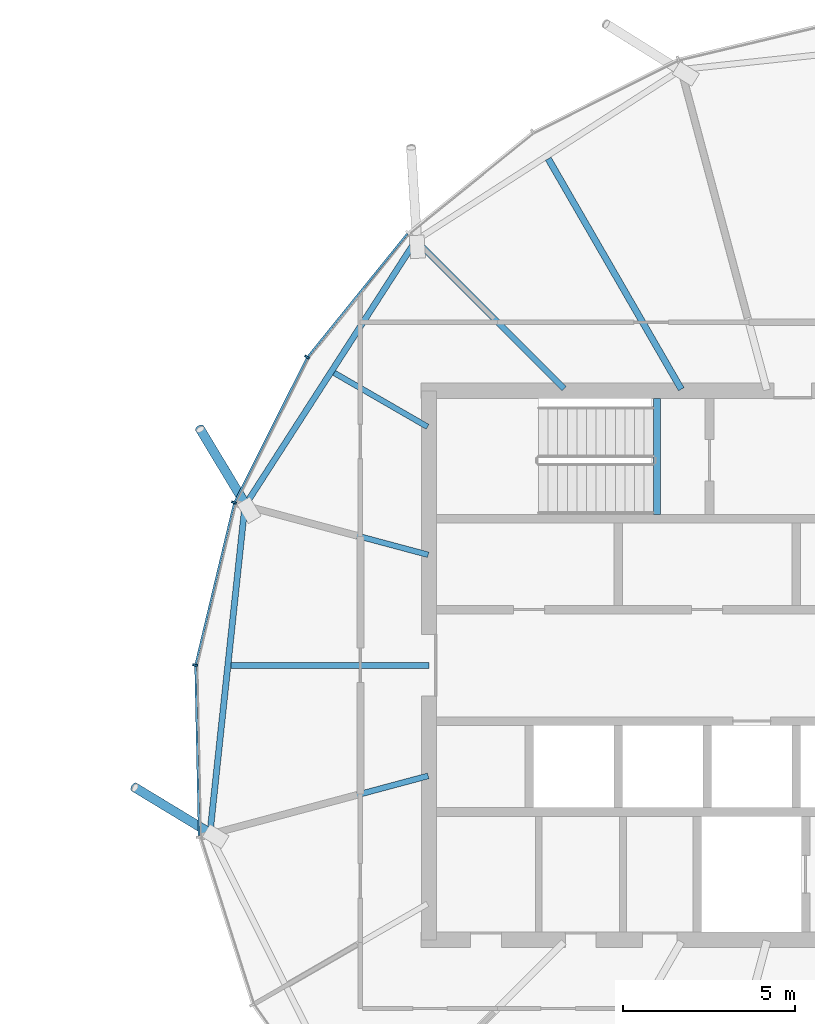
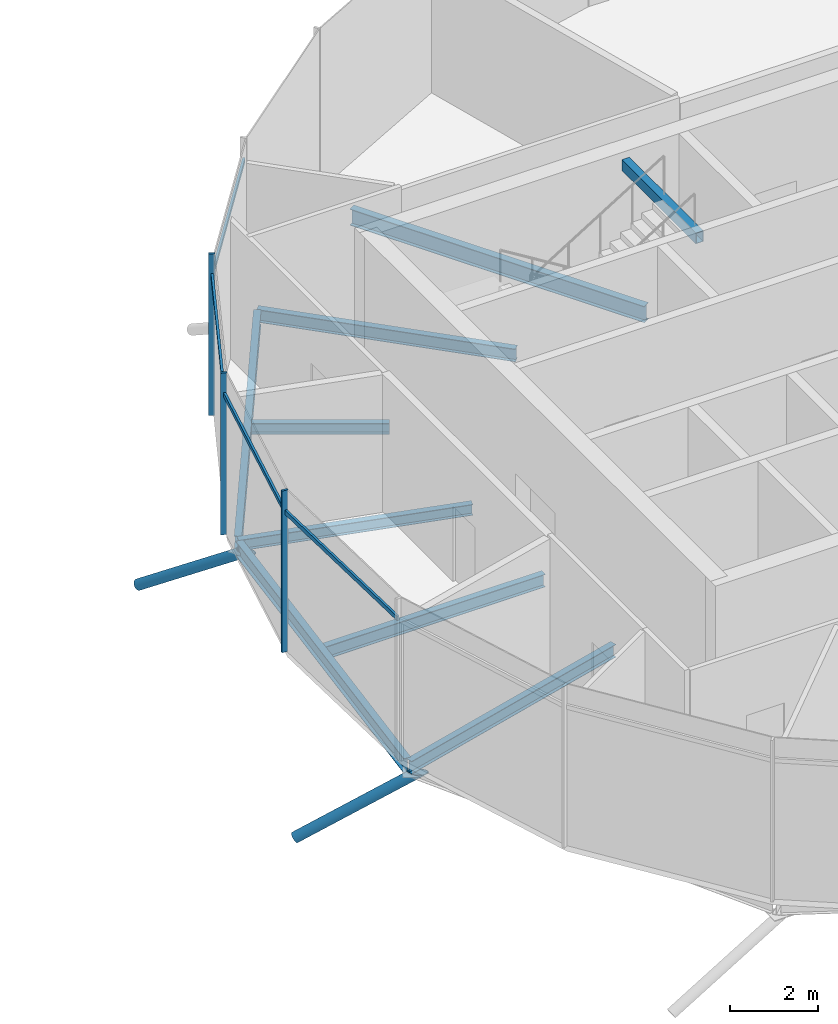
# One storey, part 11 of 31: 9 beams, 9 members, 1 element without a shape of its own.
"""IFC4 building model written with IfcOpenShell, lengths in metres."""

from ifc_helpers import new_model, si_unit, direction, frame, origin, origin_2d, place, context, subcontext, project, spatial, rectangle, hollow_rectangle, hollow_circle, i_section, extrude, clip, halfspace, material, material_profile, profile_set, type_object, element, aggregate, save


model = new_model("IFC4")

# Units and contexts
model_context = context("Model", 3, precision=1e-05, world=origin(), true_north=direction((0.0, 1.0)))
body_context = subcontext(model_context, "Body", "Model", "MODEL_VIEW")
ifc_project = project(units=[si_unit("LENGTHUNIT", "METRE"), si_unit("AREAUNIT", "SQUARE_METRE"), si_unit("VOLUMEUNIT", "CUBIC_METRE"), si_unit("PLANEANGLEUNIT", "RADIAN"), si_unit("MASSUNIT", "GRAM", prefix="KILO")], contexts=[model_context])

# Site, building, storey
site_placement = place(None, origin())
site = spatial("IfcSite", under=ifc_project, at=site_placement, CompositionType="ELEMENT")
building_placement = place(site_placement, origin())
building = spatial("IfcBuilding", under=site, at=building_placement, Name="Rimbun Link Towers", CompositionType="ELEMENT")
storey_placement = place(building_placement, frame((0.0, 0.0, 263.10009765625)))
storey = spatial("IfcBuildingStorey", under=building, at=storey_placement, Name="L64", CompositionType="ELEMENT", Elevation=263.10009765625)

# Curtain wall, members
ifc_material_1 = material(Name="Aluminium 6063-T6 and low-iron glass", Category="aluminium")
curtain_wall_type = type_object("IfcCurtainWallType", Name="CW5 full height lobby wall", PredefinedType="NOTDEFINED", material=ifc_material_1)
curtain_wall_placement = place(storey_placement, origin())
curtain_wall = element("IfcCurtainWall", 1, at=curtain_wall_placement, inside=storey, type_object=curtain_wall_type, Name="CW5 L64 T2", PredefinedType="NOTDEFINED")
ifc_material_2 = material(Name="Aluminium 6063-T6", Category="aluminium")
ifc_material_profile_1 = material_profile(ifc_material_2, rectangle(XDim=0.14990234375, YDim=0.06005859375, at=origin_2d()), Name="MULLION 60X150")
ifc_profile_set_1 = profile_set([ifc_material_profile_1], Name="Aluminium 6063-T6")
member_type_1 = type_object("IfcMemberType", Name="CW5 mullion 60X150", PredefinedType="MULLION", material=ifc_profile_set_1)
member_1_placement = place(storey_placement, frame((16.197021484375, 8.983642578125, 0.0), z_axis=(0.0, 0.0, 1.0), x_axis=(-0.840316623202, 0.542095907354, 0.0)))
member_1 = element("IfcMember", 2, at=member_1_placement, type_object=member_type_1, Name="CW5 mullion", PredefinedType="MULLION", context=body_context, shape_type="SweptSolid", body=[
    extrude(rectangle(XDim=0.14990234375, YDim=0.06005859375, at=origin_2d()), origin(), (0.0, 0.0, 1.0), 4.5),
])
member_2_placement = place(storey_placement, frame((14.068359375, 4.74462890625, 0.0), z_axis=(0.0, 0.0, 1.0), x_axis=(-0.93934467717, 0.34297460179, 0.0)))
member_2 = element("IfcMember", 3, at=member_2_placement, type_object=member_type_1, Name="CW5 mullion", PredefinedType="MULLION", context=body_context, shape_type="SweptSolid", body=[
    extrude(rectangle(XDim=0.14990234375, YDim=0.06005859375, at=origin_2d()), origin(), (0.0, 0.0, 1.0), 4.5),
])
member_3_placement = place(storey_placement, frame((12.935546875, 0.008056640625, 0.0), z_axis=(0.0, 0.0, 1.0), x_axis=(-0.994297489932, 0.106641931315, 0.0)))
member_3 = element("IfcMember", 4, at=member_3_placement, type_object=member_type_1, Name="CW5 mullion", PredefinedType="MULLION", context=body_context, shape_type="SweptSolid", body=[
    extrude(rectangle(XDim=0.14990234375, YDim=0.06005859375, at=origin_2d()), origin(), (0.0, 0.0, 1.0), 4.5),
])
ifc_material_3 = material(Name="Aluminium 6063-T6", Category="aluminium")
ifc_material_profile_2 = material_profile(ifc_material_3, rectangle(XDim=0.06005859375, YDim=0.1201171875, at=origin_2d()), Name="TRANSOM 60X120")
ifc_profile_set_2 = profile_set([ifc_material_profile_2], Name="Aluminium 6063-T6")
member_type_2 = type_object("IfcMemberType", Name="CW5 transom 60X120", PredefinedType="USERDEFINED", material=ifc_profile_set_2)
member_4_placement = place(storey_placement, frame((16.230712890625, 9.00537109375, 3.89990234375), z_axis=(0.629149315834, 0.777284464263, 0.0), x_axis=(-0.777284464263, 0.629149315834, 0.0)))
member_4 = element("IfcMember", 5, at=member_4_placement, type_object=member_type_2, Name="CW5 transom", ObjectType="TRANSOM", PredefinedType="USERDEFINED", context=body_context, shape_type="SweptSolid", body=[
    extrude(rectangle(XDim=0.06005859375, YDim=0.1201171875, at=origin_2d()), origin(), (0.0, 0.0, 1.0), 4.594970703125),
])
member_5_placement = place(storey_placement, frame((14.0966796875, 4.7734375, 3.89990234375), z_axis=(0.448782258753, 0.893641138393, 0.0), x_axis=(-0.893641138393, 0.448782258753, 0.0)))
member_5 = element("IfcMember", 6, at=member_5_placement, type_object=member_type_2, Name="CW5 transom", ObjectType="TRANSOM", PredefinedType="USERDEFINED", context=body_context, shape_type="SweptSolid", body=[
    extrude(rectangle(XDim=0.06005859375, YDim=0.1201171875, at=origin_2d()), origin(), (0.0, 0.0, 1.0), 4.6669921875),
])
member_6_placement = place(storey_placement, frame((12.956787109375, 0.043701171875, 3.89990234375), z_axis=(0.232632930334, 0.972564609537, 0.0), x_axis=(-0.972564609537, 0.232632930334, 0.0)))
member_6 = element("IfcMember", 7, at=member_6_placement, type_object=member_type_2, Name="CW5 transom", ObjectType="TRANSOM", PredefinedType="USERDEFINED", context=body_context, shape_type="SweptSolid", body=[
    extrude(rectangle(XDim=0.06005859375, YDim=0.1201171875, at=origin_2d()), origin(), (0.0, 0.0, 1.0), 4.791748046875),
])
member_7_placement = place(storey_placement, frame((13.052734375, -4.96435546875, 3.89990234375), z_axis=(-0.021078162721, 0.999777830849, 0.0), x_axis=(-0.999777830849, -0.021078162721, 0.0)))
member_7 = element("IfcMember", 8, at=member_7_placement, type_object=member_type_2, Name="CW5 transom", ObjectType="TRANSOM", PredefinedType="USERDEFINED", context=body_context, shape_type="SweptSolid", body=[
    extrude(rectangle(XDim=0.06005859375, YDim=0.1201171875, at=origin_2d()), origin(), (0.0, 0.0, 1.0), 4.93408203125),
])
aggregate(curtain_wall, [member_1, member_2, member_3, member_4, member_5, member_6, member_7])

# Members
ifc_material_4 = material(Name="Steel S355J2H", Category="steel")
ifc_material_profile_3 = material_profile(ifc_material_4, hollow_circle(Radius=0.136474609375, WallThickness=0.012451171875, at=origin_2d()), Name="CHS 273x12.5")
ifc_profile_set_3 = profile_set([ifc_material_profile_3], Name="Steel S355J2H")
member_type_3 = type_object("IfcMemberType", Name="Floor edge link CHS 273x12.5", PredefinedType="BRACE", material=ifc_profile_set_3)
member_8_placement = place(storey_placement, frame((14.43359375, 4.639892578125, -0.596923828125), z_axis=(-0.429013716133, 0.711812709486, -0.556120398821), x_axis=(-0.856468799592, -0.516198794385, 0.0)))
element("IfcMember", 9, at=member_8_placement, inside=storey, type_object=member_type_3, Name="Floor edge link T2 L64 08", PredefinedType="BRACE", context=body_context, shape_type="Clipping", body=[
    clip(extrude(hollow_circle(Radius=0.136474609375, WallThickness=0.012451171875, at=origin_2d()), frame((0.0, 0.0, -0.426025390625)), (0.0, 0.0, 1.0), 3.6201171875), halfspace(frame((0.0, 0.0, -0.200439453125), z_axis=(0.0, 0.83110173987, -0.556120398821)), False)),
])
member_9_placement = place(storey_placement, frame((13.412109375, -4.91357421875, -0.648681640625), z_axis=(-0.712927937155, 0.431823154762, -0.552505673668), x_axis=(-0.518078489931, -0.855333080309, 0.0)))
element("IfcMember", 10, at=member_9_placement, inside=storey, type_object=member_type_3, Name="Floor edge link T2 L64 10", PredefinedType="BRACE", context=body_context, shape_type="Clipping", body=[
    clip(extrude(hollow_circle(Radius=0.136474609375, WallThickness=0.012451171875, at=origin_2d()), frame((0.0, 0.0, -0.429931640625)), (0.0, 0.0, 1.0), 3.60009765625), halfspace(frame((0.0, 0.0, -0.201904296875), z_axis=(0.0, 0.833509136461, -0.552505673668)), False)),
])

# Beams
ifc_material_5 = material(Name="Steel S355J2", Category="steel")
ifc_material_profile_4 = material_profile(ifc_material_5, hollow_rectangle(XDim=0.199951171875, YDim=0.300048828125, WallThickness=0.011962890625, at=origin_2d()), Name="BOX 300x200x12")
ifc_profile_set_4 = profile_set([ifc_material_profile_4], Name="Steel S355J2")
beam_type_1 = type_object("IfcBeamType", Name="Stair trimmer beam BOX 300x200x12", PredefinedType="BEAM", material=ifc_profile_set_4)
beam_1_placement = place(storey_placement, frame((26.39990234375, 7.77490234375, 4.14990234375), z_axis=(0.0, -1.0, 0.0), x_axis=(1.0, 0.0, 0.0)))
element("IfcBeam", 11, at=beam_1_placement, inside=storey, type_object=beam_type_1, Name="L64 ST3 stair beam 1", PredefinedType="BEAM", context=body_context, shape_type="SweptSolid", body=[
    extrude(hollow_rectangle(XDim=0.199951171875, YDim=0.300048828125, WallThickness=0.011962890625, at=origin_2d()), origin(), (0.0, 0.0, 1.0), 3.375),
])
ifc_material_6 = material(Name="Steel S355J2", Category="steel")
ifc_material_profile_5 = material_profile(ifc_material_6, i_section(OverallWidth=0.1650390625, OverallDepth=0.303466796875, WebThickness=0.006103515625, FlangeThickness=0.01025390625, at=origin_2d()), Name="UB 305x165x40")
ifc_profile_set_5 = profile_set([ifc_material_profile_5], Name="Steel S355J2")
beam_type_2 = type_object("IfcBeamType", Name="UB 305x165x40", PredefinedType="BEAM", material=ifc_profile_set_5)
beam_2_placement = place(storey_placement, frame((19.7080078125, 6.952392578125, -0.331787109375), z_axis=(-0.866035522163, 0.499982474044, 0.0), x_axis=(-0.499982474044, -0.866035522163, 0.0)))
element("IfcBeam", 12, at=beam_2_placement, inside=storey, type_object=beam_type_2, Name="Radial beam T2 L64 07", PredefinedType="BEAM", context=body_context, shape_type="SweptSolid", body=[
    extrude(i_section(OverallWidth=0.1650390625, OverallDepth=0.303466796875, WebThickness=0.006103515625, FlangeThickness=0.01025390625, at=origin_2d()), origin(), (0.0, 0.0, 1.0), 3.142578125),
])
beam_3_placement = place(storey_placement, frame((19.727783203125, 3.221435546875, -0.331787109375), z_axis=(-0.965931698722, 0.25879712789, 0.0), x_axis=(-0.25879712789, -0.965931698722, 0.0)))
element("IfcBeam", 13, at=beam_3_placement, inside=storey, type_object=beam_type_2, Name="Radial beam T2 L64 08", PredefinedType="BEAM", context=body_context, shape_type="SweptSolid", body=[
    extrude(i_section(OverallWidth=0.1650390625, OverallDepth=0.303466796875, WebThickness=0.006103515625, FlangeThickness=0.01025390625, at=origin_2d()), origin(), (0.0, 0.0, 1.0), 5.531005859375),
])
ifc_material_7 = material(Name="Steel S355J2", Category="steel")
ifc_material_profile_6 = material_profile(ifc_material_7, i_section(OverallWidth=0.17138671875, OverallDepth=0.35498046875, WebThickness=0.00732421875, FlangeThickness=0.011474609375, at=origin_2d()), Name="UB 356x171x51")
ifc_profile_set_6 = profile_set([ifc_material_profile_6], Name="Steel S355J2")
beam_type_3 = type_object("IfcBeamType", Name="UB 356x171x51", PredefinedType="BEAM", material=ifc_profile_set_6)
beam_4_placement = place(storey_placement, frame((23.688720703125, 8.061279296875, -0.357666015625), z_axis=(-0.707106781187, 0.707106781187, 0.0), x_axis=(-0.707106781187, -0.707106781187, 0.0)))
element("IfcBeam", 14, at=beam_4_placement, inside=storey, type_object=beam_type_3, Name="Radial beam T2 L64 06", PredefinedType="BEAM", context=body_context, shape_type="SweptSolid", body=[
    extrude(i_section(OverallWidth=0.17138671875, OverallDepth=0.35498046875, WebThickness=0.00732421875, FlangeThickness=0.011474609375, at=origin_2d()), origin(), (0.0, 0.0, 1.0), 6.112548828125),
])
beam_5_placement = place(storey_placement, frame((19.7490234375, 0.0, -0.357666015625), z_axis=(-1.0, 0.0, 0.0), x_axis=(0.0, -1.0, 0.0)))
element("IfcBeam", 15, at=beam_5_placement, inside=storey, type_object=beam_type_3, Name="Radial beam T2 L64 09", PredefinedType="BEAM", context=body_context, shape_type="SweptSolid", body=[
    extrude(i_section(OverallWidth=0.17138671875, OverallDepth=0.35498046875, WebThickness=0.00732421875, FlangeThickness=0.011474609375, at=origin_2d()), origin(), (0.0, 0.0, 1.0), 5.769287109375),
])
beam_6_placement = place(storey_placement, frame((19.726806640625, -3.2216796875, -0.357666015625), z_axis=(-0.965928530454, -0.258808952811, 0.0), x_axis=(0.258808952811, -0.965928530454, 0.0)))
element("IfcBeam", 16, at=beam_6_placement, inside=storey, type_object=beam_type_3, Name="Radial beam T2 L64 10", PredefinedType="BEAM", context=body_context, shape_type="SweptSolid", body=[
    extrude(i_section(OverallWidth=0.17138671875, OverallDepth=0.35498046875, WebThickness=0.00732421875, FlangeThickness=0.011474609375, at=origin_2d()), origin(), (0.0, 0.0, 1.0), 6.587158203125),
])
ifc_material_8 = material(Name="Steel S355J2", Category="steel")
ifc_material_profile_7 = material_profile(ifc_material_8, i_section(OverallWidth=0.177978515625, OverallDepth=0.406494140625, WebThickness=0.0078125, FlangeThickness=0.0126953125, at=origin_2d()), Name="UB 406x178x60")
ifc_profile_set_7 = profile_set([ifc_material_profile_7], Name="Steel S355J2")
beam_type_4 = type_object("IfcBeamType", Name="UB 406x178x60", PredefinedType="BEAM", material=ifc_profile_set_7)
beam_7_placement = place(storey_placement, frame((19.318359375, 12.30908203125, -0.38330078125), z_axis=(-0.541621860919, -0.840622245586, 0.0), x_axis=(0.840622245586, -0.541621860919, 0.0)))
element("IfcBeam", 17, at=beam_7_placement, inside=storey, type_object=beam_type_4, Name="Edge beam T2 L64 06-08", PredefinedType="BEAM", context=body_context, shape_type="SweptSolid", body=[
    extrude(i_section(OverallWidth=0.177978515625, OverallDepth=0.406494140625, WebThickness=0.0078125, FlangeThickness=0.0126953125, at=origin_2d()), origin(), (0.0, 0.0, 1.0), 9.02001953125),
])
beam_8_placement = place(storey_placement, frame((14.376220703125, 4.56884765625, -0.38330078125), z_axis=(-0.106009841125, -0.994365080634, 0.0), x_axis=(0.994365080634, -0.106009841125, 0.0)))
element("IfcBeam", 18, at=beam_8_placement, inside=storey, type_object=beam_type_4, Name="Edge beam T2 L64 08-10", PredefinedType="BEAM", context=body_context, shape_type="SweptSolid", body=[
    extrude(i_section(OverallWidth=0.177978515625, OverallDepth=0.406494140625, WebThickness=0.0078125, FlangeThickness=0.0126953125, at=origin_2d()), origin(), (0.0, 0.0, 1.0), 9.4560546875),
])
ifc_material_9 = material(Name="Steel S355J2", Category="steel")
ifc_material_profile_8 = material_profile(ifc_material_9, i_section(OverallWidth=0.18994140625, OverallDepth=0.453369140625, WebThickness=0.008544921875, FlangeThickness=0.0126953125, at=origin_2d()), Name="UB 457x191x67")
ifc_profile_set_8 = profile_set([ifc_material_profile_8], Name="Steel S355J2")
beam_type_5 = type_object("IfcBeamType", Name="UB 457x191x67", PredefinedType="BEAM", material=ifc_profile_set_8)
beam_9_placement = place(storey_placement, frame((27.103271484375, 8.04833984375, -0.40673828125), z_axis=(-0.499985914114, 0.866033536122, 0.0), x_axis=(-0.866033536122, -0.499985914114, 0.0)))
element("IfcBeam", 19, at=beam_9_placement, inside=storey, type_object=beam_type_5, Name="Radial beam T2 L64 05", PredefinedType="BEAM", context=body_context, shape_type="SweptSolid", body=[
    extrude(i_section(OverallWidth=0.18994140625, OverallDepth=0.453369140625, WebThickness=0.008544921875, FlangeThickness=0.0126953125, at=origin_2d()), origin(), (0.0, 0.0, 1.0), 7.754150390625),
])

save(model, "model.ifc")
